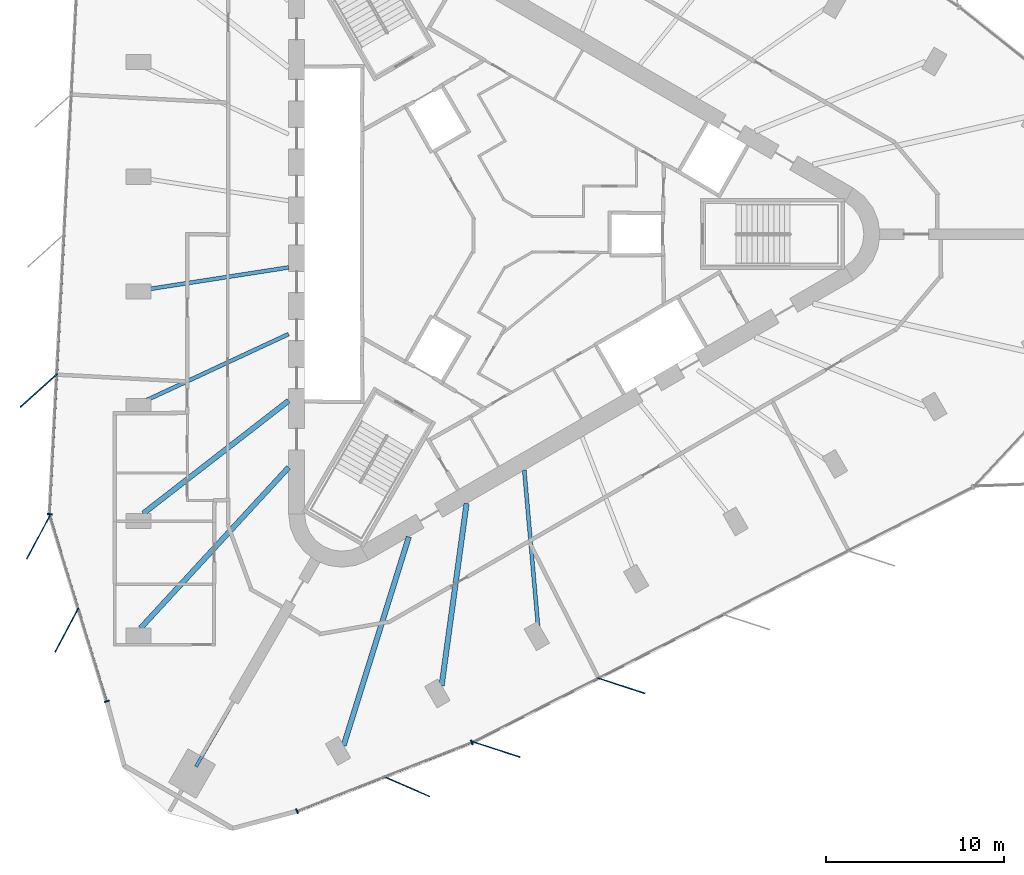
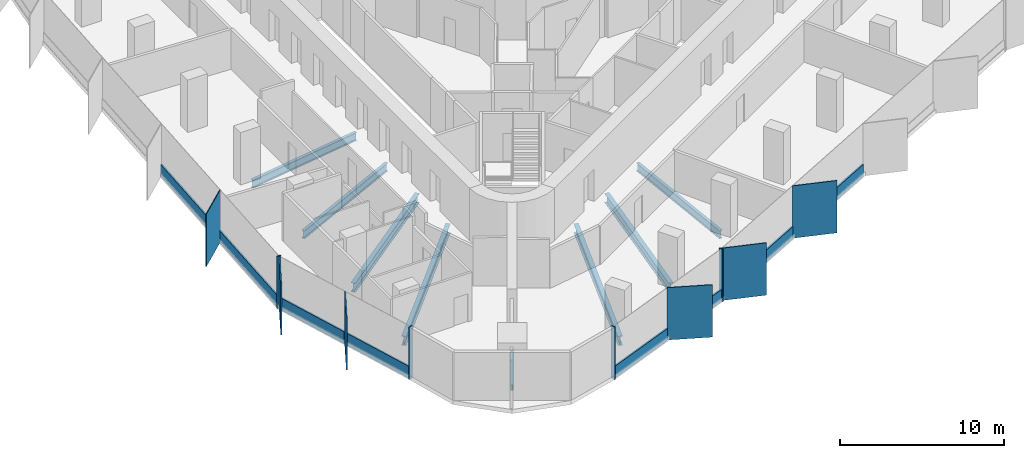
# One storey, part 2 of 13: 18 members, 8 beams, 4 elements without a shape of their own.
"""IFC4 building model written with IfcOpenShell, lengths in metres."""

from ifc_helpers import new_model, si_unit, direction, frame, origin, origin_2d, place, context, subcontext, project, spatial, rectangle, i_section, extrude, material, material_profile, profile_set, type_object, element, aggregate, save


model = new_model("IFC4")

# Units and contexts
model_context = context("Model", 3, precision=1e-05, world=origin(), true_north=direction((0.0, 1.0)))
body_context = subcontext(model_context, "Body", "Model", "MODEL_VIEW")
ifc_project = project(units=[si_unit("LENGTHUNIT", "METRE"), si_unit("AREAUNIT", "SQUARE_METRE"), si_unit("VOLUMEUNIT", "CUBIC_METRE"), si_unit("PLANEANGLEUNIT", "RADIAN"), si_unit("MASSUNIT", "GRAM", prefix="KILO")], contexts=[model_context])

# Site, building, storey
site_placement = place(None, origin())
site = spatial("IfcSite", under=ifc_project, at=site_placement, CompositionType="ELEMENT")
building_placement = place(site_placement, origin())
building = spatial("IfcBuilding", under=site, at=building_placement, Name="Tanit Gate Tower", CompositionType="ELEMENT")
storey_placement = place(building_placement, frame((0.0, 0.0, 310.39990234375)))
storey = spatial("IfcBuildingStorey", under=building, at=storey_placement, Name="L69", CompositionType="ELEMENT", Elevation=310.39990234375)

# Curtain wall, member
ifc_material_1 = material(Name="Aluminium bronze anodised and glass", Category="aluminium")
curtain_wall_type = type_object("IfcCurtainWallType", Name="Curtain wall typical high", PredefinedType="NOTDEFINED", material=ifc_material_1)
curtain_wall_1_placement = place(storey_placement, origin())
curtain_wall_1 = element("IfcCurtainWall", 1, at=curtain_wall_1_placement, inside=storey, type_object=curtain_wall_type, Name="Curtain wall L69 W2", PredefinedType="NOTDEFINED")
ifc_material_2 = material(Name="Aluminium bronze anodised", Category="aluminium")
ifc_material_profile_1 = material_profile(ifc_material_2, rectangle(XDim=2.800048828125, YDim=0.055908203125, at=origin_2d()), Name="56x2800 bronze fin mullion")
ifc_profile_set_1 = profile_set([ifc_material_profile_1], Name="Aluminium bronze anodised")
member_type_1 = type_object("IfcMemberType", Name="FIN MULLION 56x2800 bronze", PredefinedType="MULLION", material=ifc_profile_set_1)
member_1_placement = place(storey_placement, frame((-26.171630859375, -8.811279296875, -0.2998046875), z_axis=(0.0, 0.0, 1.0), x_axis=(0.742921658135, 0.669378375715, 0.0)))
member_1 = element("IfcMember", 2, at=member_1_placement, type_object=member_type_1, Name="Fin mullion L69 W2.4", PredefinedType="MULLION", context=body_context, shape_type="SweptSolid", body=[
    extrude(rectangle(XDim=2.800048828125, YDim=0.055908203125, at=origin_2d()), origin(), (0.0, 0.0, 1.0), 3.89990234375),
])

# Curtain wall, members
curtain_wall_2_placement = place(storey_placement, origin())
curtain_wall_2 = element("IfcCurtainWall", 3, at=curtain_wall_2_placement, inside=storey, type_object=curtain_wall_type, Name="Curtain wall L69 W3", PredefinedType="NOTDEFINED")
member_2_placement = place(storey_placement, frame((-26.195068359375, -17.0732421875, -0.2998046875), z_axis=(0.0, 0.0, 1.0), x_axis=(0.469169269872, 0.883108258487, 0.0)))
member_2 = element("IfcMember", 4, at=member_2_placement, type_object=member_type_1, Name="Fin mullion L69 W3.1", PredefinedType="MULLION", context=body_context, shape_type="SweptSolid", body=[
    extrude(rectangle(XDim=2.800048828125, YDim=0.055908203125, at=origin_2d()), origin(), (0.0, 0.0, 1.0), 3.89990234375),
])
member_3_placement = place(storey_placement, frame((-24.59423828125, -22.302734375, -0.2998046875), z_axis=(0.0, 0.0, 1.0), x_axis=(0.469169269872, 0.883108258487, 0.0)))
member_3 = element("IfcMember", 5, at=member_3_placement, type_object=member_type_1, Name="Fin mullion L69 W3.2", PredefinedType="MULLION", context=body_context, shape_type="SweptSolid", body=[
    extrude(rectangle(XDim=2.800048828125, YDim=0.055908203125, at=origin_2d()), origin(), (0.0, 0.0, 1.0), 3.89990234375),
])

# Curtain wall, member
curtain_wall_3_placement = place(storey_placement, origin())
curtain_wall_3 = element("IfcCurtainWall", 6, at=curtain_wall_3_placement, inside=storey, type_object=curtain_wall_type, Name="Curtain wall L69 SE1", PredefinedType="NOTDEFINED")
member_4_placement = place(storey_placement, frame((-5.437744140625, -31.119873046875, -0.2998046875), z_axis=(0.0, 0.0, 1.0), x_axis=(-0.916890797813, 0.399138152632, 0.0)))
member_4 = element("IfcMember", 7, at=member_4_placement, type_object=member_type_1, Name="Fin mullion L69 SE1.2", PredefinedType="MULLION", context=body_context, shape_type="SweptSolid", body=[
    extrude(rectangle(XDim=2.800048828125, YDim=0.055908203125, at=origin_2d()), origin(), (0.0, 0.0, 1.0), 3.89990234375),
])

# Curtain wall, members
curtain_wall_4_placement = place(storey_placement, origin())
curtain_wall_4 = element("IfcCurtainWall", 8, at=curtain_wall_4_placement, inside=storey, type_object=curtain_wall_type, Name="Curtain wall L69 SE2", PredefinedType="NOTDEFINED")
member_5_placement = place(storey_placement, frame((-0.395263671875, -29.025634765625, -0.2998046875), z_axis=(0.0, 0.0, 1.0), x_axis=(-0.95115950718, 0.308699841109, 0.0)))
member_5 = element("IfcMember", 9, at=member_5_placement, type_object=member_type_1, Name="Fin mullion L69 SE2.1", PredefinedType="MULLION", context=body_context, shape_type="SweptSolid", body=[
    extrude(rectangle(XDim=2.800048828125, YDim=0.055908203125, at=origin_2d()), origin(), (0.0, 0.0, 1.0), 3.89990234375),
])
member_6_placement = place(storey_placement, frame((6.64208984375, -25.43701171875, -0.2998046875), z_axis=(0.0, 0.0, 1.0), x_axis=(-0.95115950718, 0.308699841109, 0.0)))
member_6 = element("IfcMember", 10, at=member_6_placement, type_object=member_type_1, Name="Fin mullion L69 SE2.2", PredefinedType="MULLION", context=body_context, shape_type="SweptSolid", body=[
    extrude(rectangle(XDim=2.800048828125, YDim=0.055908203125, at=origin_2d()), origin(), (0.0, 0.0, 1.0), 3.89990234375),
])

# Member
ifc_material_3 = material(Name="Aluminium bronze anodised", Category="aluminium")
ifc_material_profile_2 = material_profile(ifc_material_3, rectangle(XDim=0.280029296875, YDim=0.080078125, at=origin_2d()), Name="80x280 bronze mullion")
ifc_profile_set_2 = profile_set([ifc_material_profile_2], Name="Aluminium bronze anodised")
member_type_2 = type_object("IfcMemberType", Name="Mullion 80x280 typical high", PredefinedType="MULLION", material=ifc_profile_set_2)
member_7_placement = place(storey_placement, frame((-25.55712890625, -15.776123046875, -0.2998046875), z_axis=(0.0, 0.0, 1.0), x_axis=(0.998646931005, -0.05200295371, 0.0)))
member_7 = element("IfcMember", 11, at=member_7_placement, type_object=member_type_2, Name="Mullion L69 W2.5", PredefinedType="MULLION", context=body_context, shape_type="SweptSolid", body=[
    extrude(rectangle(XDim=0.280029296875, YDim=0.080078125, at=origin_2d()), origin(), (0.0, 0.0, 1.0), 3.89990234375),
])

member_8_placement = place(storey_placement, frame((-22.345947265625, -26.3134765625, -0.2998046875), z_axis=(0.0, 0.0, 1.0), x_axis=(0.956204610349, 0.292699065847, 0.0)))
member_8 = element("IfcMember", 12, at=member_8_placement, type_object=member_type_2, Name="Mullion L69 W3.3", PredefinedType="MULLION", context=body_context, shape_type="SweptSolid", body=[
    extrude(rectangle(XDim=0.280029296875, YDim=0.080078125, at=origin_2d()), origin(), (0.0, 0.0, 1.0), 3.89990234375),
])

member_9_placement = place(storey_placement, frame((-11.625732421875, -32.505615234375, -0.2998046875), z_axis=(0.0, 0.0, 1.0), x_axis=(-0.366106406385, 0.930572995097, 0.0)))
member_9 = element("IfcMember", 13, at=member_9_placement, type_object=member_type_2, Name="Mullion L69 SE1.1", PredefinedType="MULLION", context=body_context, shape_type="SweptSolid", body=[
    extrude(rectangle(XDim=0.280029296875, YDim=0.080078125, at=origin_2d()), origin(), (0.0, 0.0, 1.0), 3.89990234375),
])

member_10_placement = place(storey_placement, frame((-1.78076171875, -28.63232421875, -0.2998046875), z_axis=(0.0, 0.0, 1.0), x_axis=(-0.366106406385, 0.930572995097, 0.0)))
member_10 = element("IfcMember", 14, at=member_10_placement, type_object=member_type_2, Name="Mullion L69 SE1.3", PredefinedType="MULLION", context=body_context, shape_type="SweptSolid", body=[
    extrude(rectangle(XDim=0.280029296875, YDim=0.080078125, at=origin_2d()), origin(), (0.0, 0.0, 1.0), 3.89990234375),
])

# Beams
ifc_material_4 = material(Name="Steel S355", Category="steel")
ifc_material_profile_3 = material_profile(ifc_material_4, i_section(OverallWidth=0.300048828125, OverallDepth=0.68994140625, WebThickness=0.014404296875, FlangeThickness=0.027099609375, FilletRadius=0.027099609375, at=origin_2d()), Name="HEA 700")
ifc_profile_set_3 = profile_set([ifc_material_profile_3], Name="Steel S355")
beam_type_1 = type_object("IfcBeamType", Name="RADIAL GIRDER HEA 700 S355", PredefinedType="BEAM", material=ifc_profile_set_3)
beam_1_placement = place(storey_placement, frame((-20.28759765625, -15.734619140625, -0.64501953125), z_axis=(0.790189054489, 0.612863164308, 0.0), x_axis=(-0.612863164308, 0.790189054489, 0.0)))
element("IfcBeam", 15, at=beam_1_placement, inside=storey, type_object=beam_type_1, Name="RADIAL GIRDER", PredefinedType="BEAM", context=body_context, shape_type="SweptSolid", body=[
    extrude(i_section(OverallWidth=0.300048828125, OverallDepth=0.68994140625, WebThickness=0.014404296875, FlangeThickness=0.027099609375, FilletRadius=0.027099609375, at=origin_2d()), origin(), (0.0, 0.0, 1.0), 10.35888671875),
])
beam_2_placement = place(storey_placement, frame((-20.444091796875, -22.198486328125, -0.64501953125), z_axis=(0.677443856772, 0.735574483599, 0.0), x_axis=(-0.735574483599, 0.677443856772, 0.0)))
element("IfcBeam", 16, at=beam_2_placement, inside=storey, type_object=beam_type_1, Name="RADIAL GIRDER", PredefinedType="BEAM", context=body_context, shape_type="SweptSolid", body=[
    extrude(i_section(OverallWidth=0.300048828125, OverallDepth=0.68994140625, WebThickness=0.014404296875, FlangeThickness=0.027099609375, FilletRadius=0.027099609375, at=origin_2d()), origin(), (0.0, 0.0, 1.0), 12.31396484375),
])
beam_3_placement = place(storey_placement, frame((-9.00244140625, -28.804443359375, -0.64501953125), z_axis=(0.298298699316, 0.954472569531, 0.0), x_axis=(-0.954472569531, 0.298298699316, 0.0)))
element("IfcBeam", 17, at=beam_3_placement, inside=storey, type_object=beam_type_1, Name="RADIAL GIRDER", PredefinedType="BEAM", context=body_context, shape_type="SweptSolid", body=[
    extrude(i_section(OverallWidth=0.300048828125, OverallDepth=0.68994140625, WebThickness=0.014404296875, FlangeThickness=0.027099609375, FilletRadius=0.027099609375, at=origin_2d()), origin(), (0.0, 0.0, 1.0), 12.314208984375),
])
beam_4_placement = place(storey_placement, frame((-3.48291015625, -25.436767578125, -0.64501953125), z_axis=(0.135657975489, 0.990755728566, 0.0), x_axis=(-0.990755728566, 0.135657975489, 0.0)))
element("IfcBeam", 18, at=beam_4_placement, inside=storey, type_object=beam_type_1, Name="RADIAL GIRDER", PredefinedType="BEAM", context=body_context, shape_type="SweptSolid", body=[
    extrude(i_section(OverallWidth=0.300048828125, OverallDepth=0.68994140625, WebThickness=0.014404296875, FlangeThickness=0.027099609375, FilletRadius=0.027099609375, at=origin_2d()), origin(), (0.0, 0.0, 1.0), 10.35888671875),
])
ifc_material_5 = material(Name="Steel S355", Category="steel")
ifc_material_profile_4 = material_profile(ifc_material_5, i_section(OverallWidth=0.179931640625, OverallDepth=0.39990234375, WebThickness=0.008544921875, FlangeThickness=0.013427734375, FilletRadius=0.02099609375, at=origin_2d()), Name="IPE 400")
ifc_profile_set_4 = profile_set([ifc_material_profile_4], Name="Steel S355")
beam_type_2 = type_object("IfcBeamType", Name="RADIAL GIRDER IPE 400 S355", PredefinedType="BEAM", material=ifc_profile_set_4)
beam_5_placement = place(storey_placement, frame((-17.3154296875, -29.9912109375, -0.5), z_axis=(0.500007177232, 0.866021259968, 0.0), x_axis=(-0.866021259968, 0.500007177232, 0.0)))
element("IfcBeam", 19, at=beam_5_placement, inside=storey, type_object=beam_type_2, Name="RADIAL GIRDER", PredefinedType="BEAM", context=body_context, shape_type="SweptSolid", body=[
    extrude(i_section(OverallWidth=0.179931640625, OverallDepth=0.39990234375, WebThickness=0.008544921875, FlangeThickness=0.013427734375, FilletRadius=0.02099609375, at=origin_2d()), origin(), (0.0, 0.0, 1.0), 3.7607421875),
])
ifc_material_6 = material(Name="Steel S355", Category="steel")
ifc_material_profile_5 = material_profile(ifc_material_6, i_section(OverallWidth=0.219970703125, OverallDepth=0.60009765625, WebThickness=0.011962890625, FlangeThickness=0.01904296875, FilletRadius=0.02392578125, at=origin_2d()), Name="IPE 600")
ifc_profile_set_5 = profile_set([ifc_material_profile_5], Name="Steel S355")
beam_type_3 = type_object("IfcBeamType", Name="RADIAL GIRDER IPE 600 S355", PredefinedType="BEAM", material=ifc_profile_set_5)
beam_6_placement = place(storey_placement, frame((-20.135498046875, -3.123291015625, -0.599853515625), z_axis=(0.988182767287, 0.153280195844, 0.0), x_axis=(-0.153280195844, 0.988182767287, 0.0)))
element("IfcBeam", 20, at=beam_6_placement, inside=storey, type_object=beam_type_3, Name="RADIAL GIRDER", PredefinedType="BEAM", context=body_context, shape_type="SweptSolid", body=[
    extrude(i_section(OverallWidth=0.219970703125, OverallDepth=0.60009765625, WebThickness=0.011962890625, FlangeThickness=0.01904296875, FilletRadius=0.02392578125, at=origin_2d()), origin(), (0.0, 0.0, 1.0), 8.12939453125),
])
for number, where, z_axis, x_axis, name in (
    (21, (-20.135498046875, -9.3701171875, -0.599853515625), (0.906633128224, 0.421919863015, 0.0), (-0.421919863015, 0.906633128224, 0.0), "RADIAL GIRDER"),
    (22, (1.952880859375, -22.122802734375, -0.599853515625), (-0.087921954634, 0.996127366301, 0.0), (-0.996127366301, -0.087921954634, 0.0), "RADIAL GIRDER"),
):
    element("IfcBeam", number, at=place(storey_placement, frame(where, z_axis=z_axis, x_axis=x_axis)), inside=storey, type_object=beam_type_3, Name=name, PredefinedType="BEAM", context=body_context, shape_type="SweptSolid", body=[
        extrude(i_section(OverallWidth=0.219970703125, OverallDepth=0.60009765625, WebThickness=0.011962890625, FlangeThickness=0.01904296875, FilletRadius=0.02392578125, at=origin_2d()), origin(), (0.0, 0.0, 1.0), 8.86083984375),
    ])

# Member
ifc_material_7 = material(Name="Aluminium bronze anodised", Category="aluminium")
ifc_material_profile_6 = material_profile(ifc_material_7, rectangle(XDim=0.1201171875, YDim=0.89990234375, at=origin_2d()), Name="120x900 bronze transom")
ifc_profile_set_6 = profile_set([ifc_material_profile_6], Name="Aluminium bronze anodised")
member_type_3 = type_object("IfcMemberType", Name="Transom 120x900 typical high", PredefinedType="USERDEFINED", material=ifc_profile_set_6)
member_11_placement = place(storey_placement, frame((-24.737548828125, -0.03857421875, 0.150146484375), z_axis=(-0.05201640207, -0.998646230612, 0.0), x_axis=(0.998646230612, -0.05201640207, 0.0)))
member_11 = element("IfcMember", 23, at=member_11_placement, type_object=member_type_3, Name="Transom L69 W2.3", ObjectType="TRANSOM", PredefinedType="USERDEFINED", context=body_context, shape_type="SweptSolid", body=[
    extrude(rectangle(XDim=0.1201171875, YDim=0.89990234375, at=origin_2d()), origin(), (0.0, 0.0, 1.0), 7.8193359375),
])

member_12_placement = place(storey_placement, frame((-25.1484375, -7.92724609375, 0.150146484375), z_axis=(-0.05201640207, -0.998646230612, 0.0), x_axis=(0.998646230612, -0.05201640207, 0.0)))
member_12 = element("IfcMember", 24, at=member_12_placement, type_object=member_type_3, Name="Transom L69 W2.4", ObjectType="TRANSOM", PredefinedType="USERDEFINED", context=body_context, shape_type="SweptSolid", body=[
    extrude(rectangle(XDim=0.1201171875, YDim=0.89990234375, at=origin_2d()), origin(), (0.0, 0.0, 1.0), 7.8193359375),
])

aggregate(curtain_wall_1, [member_1, member_7, member_11, member_12])

member_13_placement = place(storey_placement, frame((-25.535888671875, -15.892578125, 0.150146484375), z_axis=(0.292700746811, -0.956204095796, 0.0), x_axis=(0.956204095796, 0.292700746811, 0.0)))
member_13 = element("IfcMember", 25, at=member_13_placement, type_object=member_type_3, Name="Transom L69 W3.1", ObjectType="TRANSOM", PredefinedType="USERDEFINED", context=body_context, shape_type="SweptSolid", body=[
    extrude(rectangle(XDim=0.1201171875, YDim=0.89990234375, at=origin_2d()), origin(), (0.0, 0.0, 1.0), 5.38916015625),
])

member_14_placement = place(storey_placement, frame((-23.93505859375, -21.122314453125, 0.150146484375), z_axis=(0.292700746811, -0.956204095796, 0.0), x_axis=(0.956204095796, 0.292700746811, 0.0)))
member_14 = element("IfcMember", 26, at=member_14_placement, type_object=member_type_3, Name="Transom L69 W3.2", ObjectType="TRANSOM", PredefinedType="USERDEFINED", context=body_context, shape_type="SweptSolid", body=[
    extrude(rectangle(XDim=0.1201171875, YDim=0.89990234375, at=origin_2d()), origin(), (0.0, 0.0, 1.0), 5.38916015625),
])

aggregate(curtain_wall_2, [member_2, member_3, member_8, member_13, member_14])

member_15_placement = place(storey_placement, frame((-11.58837890625, -32.490966796875, 0.150146484375), z_axis=(0.930575374327, 0.366100358777, 0.0), x_axis=(-0.366100358777, 0.930575374327, 0.0)))
member_15 = element("IfcMember", 27, at=member_15_placement, type_object=member_type_3, Name="Transom L69 SE1.1", ObjectType="TRANSOM", PredefinedType="USERDEFINED", context=body_context, shape_type="SweptSolid", body=[
    extrude(rectangle(XDim=0.1201171875, YDim=0.89990234375, at=origin_2d()), origin(), (0.0, 0.0, 1.0), 5.20947265625),
])

member_16_placement = place(storey_placement, frame((-6.666015625, -30.554443359375, 0.150146484375), z_axis=(0.930559407954, 0.366140940442, 0.0), x_axis=(-0.366140940442, 0.930559407954, 0.0)))
member_16 = element("IfcMember", 28, at=member_16_placement, type_object=member_type_3, Name="Transom L69 SE1.2", ObjectType="TRANSOM", PredefinedType="USERDEFINED", context=body_context, shape_type="SweptSolid", body=[
    extrude(rectangle(XDim=0.1201171875, YDim=0.89990234375, at=origin_2d()), origin(), (0.0, 0.0, 1.0), 5.209716796875),
])

aggregate(curtain_wall_3, [member_9, member_4, member_10, member_15, member_16])

member_17_placement = place(storey_placement, frame((-1.67236328125, -28.58154296875, 0.150146484375), z_axis=(0.890845944364, 0.454305517697, 0.0), x_axis=(-0.454305517697, 0.890845944364, 0.0)))
member_17 = element("IfcMember", 29, at=member_17_placement, type_object=member_type_3, Name="Transom L69 SE2.1", ObjectType="TRANSOM", PredefinedType="USERDEFINED", context=body_context, shape_type="SweptSolid", body=[
    extrude(rectangle(XDim=0.1201171875, YDim=0.89990234375, at=origin_2d()), origin(), (0.0, 0.0, 1.0), 7.819580078125),
])

member_18_placement = place(storey_placement, frame((5.364990234375, -24.99267578125, 0.150146484375), z_axis=(0.890852136495, 0.454293375368, 0.0), x_axis=(-0.454293375368, 0.890852136495, 0.0)))
member_18 = element("IfcMember", 30, at=member_18_placement, type_object=member_type_3, Name="Transom L69 SE2.2", ObjectType="TRANSOM", PredefinedType="USERDEFINED", context=body_context, shape_type="SweptSolid", body=[
    extrude(rectangle(XDim=0.1201171875, YDim=0.89990234375, at=origin_2d()), origin(), (0.0, 0.0, 1.0), 7.8193359375),
])

aggregate(curtain_wall_4, [member_5, member_6, member_17, member_18])

save(model, "model.ifc")
